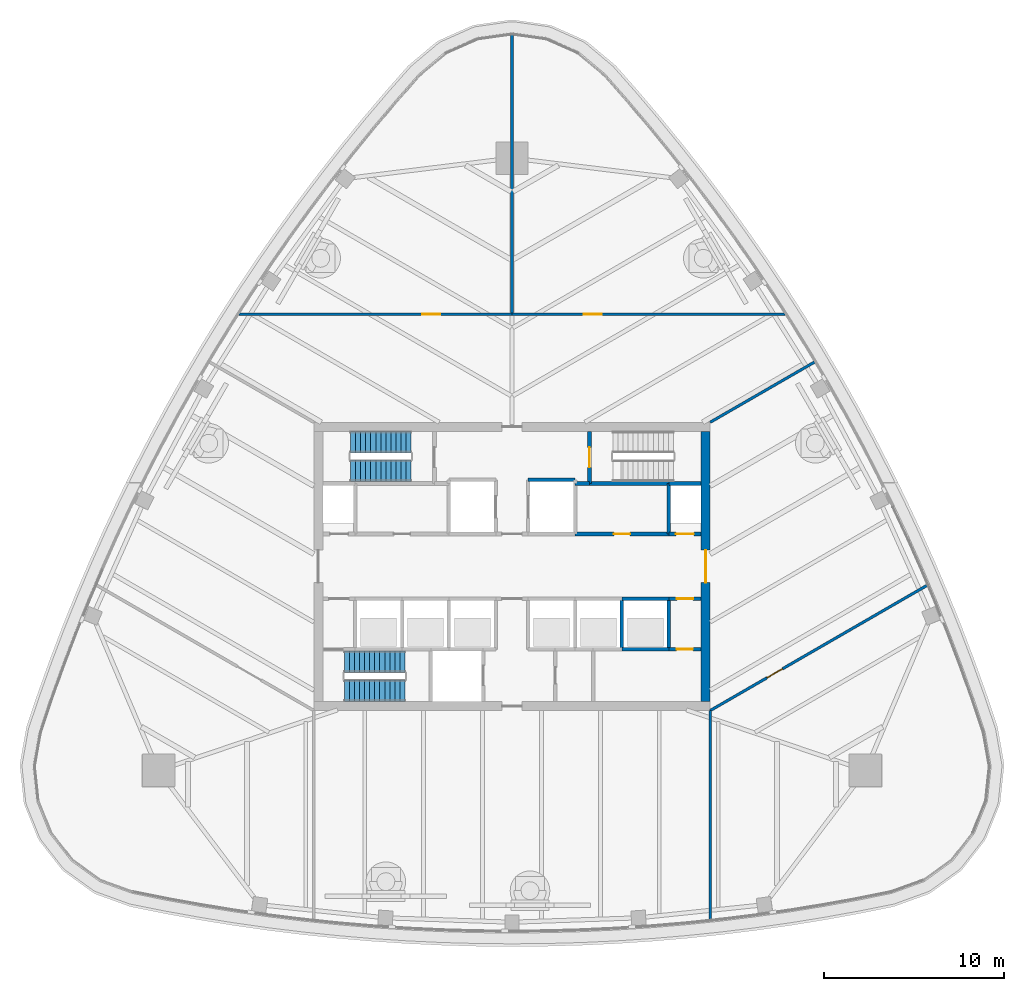
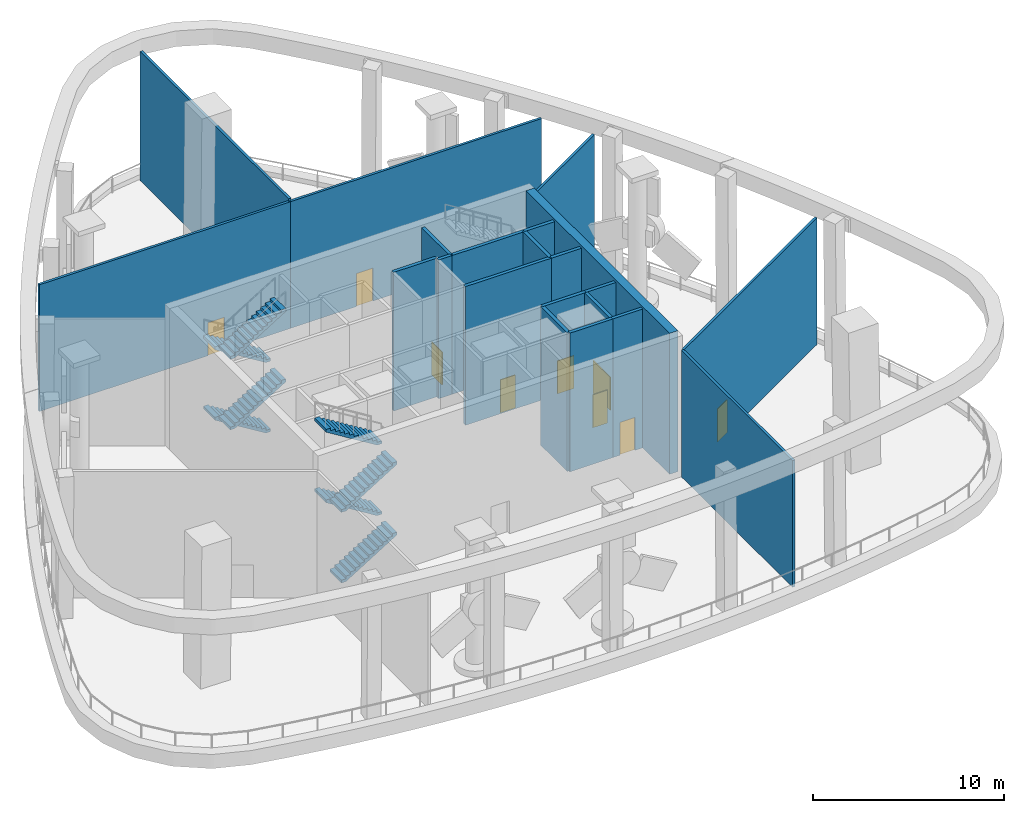
# One storey, part 4 of 12: 21 walls, 9 doors, 8 stair flights, 9 openings, 2 elements without a shape of their own.
"""IFC4 building model written with IfcOpenShell, lengths in metres."""

from ifc_helpers import new_model, si_unit, direction, frame, frame_2d, origin, place, context, subcontext, project, spatial, polyline, rectangle, outline, extrude, material, layer, layer_set, type_object, element, fill, aggregate, save


model = new_model("IFC4")

# Units and contexts
model_context = context("Model", 3, precision=1e-05, world=origin(), true_north=direction((0.0, 1.0)))
body_context = subcontext(model_context, "Body", "Model", "MODEL_VIEW")
ifc_project = project(units=[si_unit("LENGTHUNIT", "METRE"), si_unit("AREAUNIT", "SQUARE_METRE"), si_unit("VOLUMEUNIT", "CUBIC_METRE"), si_unit("PLANEANGLEUNIT", "RADIAN"), si_unit("MASSUNIT", "GRAM", prefix="KILO")], contexts=[model_context])

# Site, building, storey
site_placement = place(None, origin())
site = spatial("IfcSite", under=ifc_project, at=site_placement, CompositionType="ELEMENT")
building_placement = place(site_placement, origin())
building = spatial("IfcBuilding", under=site, at=building_placement, Name="Sierra Prisma Convention Tower", CompositionType="ELEMENT")
storey_placement = place(building_placement, frame((0.0, 0.0, 330.39990234375)))
storey = spatial("IfcBuildingStorey", under=building, at=storey_placement, Name="L75", CompositionType="ELEMENT", Elevation=330.39990234375)

# Wall
ifc_material_1 = material(Name="Concrete C30/37", Category="concrete")
ifc_layer_1 = layer(ifc_material_1, 0.199951171875)
ifc_layer_set_1 = layer_set([ifc_layer_1], Name="Core wall RC 200 C30/37")
wall_type_1 = type_object("IfcWallType", Name="Core wall RC 200 C30/37", PredefinedType="SOLIDWALL", material=ifc_layer_set_1)
wall_1_placement = place(storey_placement, frame((3.5, 4.800048828125, 0.0), z_axis=(0.0, 0.0, 1.0), x_axis=(-1.0, 0.0, 0.0)))
element("IfcWall", 1, at=wall_1_placement, inside=storey, type_object=wall_type_1, Name="Core wall L75 36", PredefinedType="SOLIDWALL", context=body_context, shape_type="SweptSolid", body=[
    extrude(rectangle(XDim=2.60009765625, YDim=0.199951171875, at=frame_2d((1.300048828125, 0.0))), origin(), (0.0, 0.0, 1.0), 8.85009765625),
])

# Wall, opening, door
wall_2_placement = place(storey_placement, frame((3.5, 1.800048828125, 0.0), z_axis=(0.0, 0.0, 1.0), x_axis=(1.0, 0.0, 0.0)))
wall_2 = element("IfcWall", 2, at=wall_2_placement, inside=storey, type_object=wall_type_1, Name="Core wall L75 43", PredefinedType="SOLIDWALL", context=body_context, shape_type="SweptSolid", body=[
    extrude(rectangle(XDim=5.199951171875, YDim=0.199951171875, at=frame_2d((2.60009765625, 0.0))), origin(), (0.0, 0.0, 1.0), 8.85009765625),
])
opening_1_placement = place(wall_2_placement, frame((2.14990234375, 0.0, 0.0)))
opening_1 = element("IfcOpeningElement", 3, at=opening_1_placement, cuts=wall_2, Name="Opening L75-D012", PredefinedType="OPENING", context=body_context, shape_type="SweptSolid", body=[
    extrude(rectangle(XDim=0.89990234375, YDim=2.10009765625, at=frame_2d((0.449951171875, 1.050048828125))), frame((0.0, 0.10009765625, 0.0), z_axis=(0.0, -1.0, 0.0), x_axis=(1.0, 0.0, 0.0)), (0.0, 0.0, 1.0), 0.199951171875),
])
ifc_material_2 = material(Name="Steel fire door leaf", Category="steel")
door_type_1 = type_object("IfcDoorType", Name="Door 900x2100 FD30S", OperationType="SINGLE_SWING_LEFT", PredefinedType="DOOR", material=ifc_material_2)
door_1_placement = place(opening_1_placement, origin())
door_1 = element("IfcDoor", 4, at=door_1_placement, inside=storey, type_object=door_type_1, Name="Door L75 16", OperationType="SINGLE_SWING_RIGHT", OverallHeight=2.10009765625, OverallWidth=0.89990234375, PredefinedType="DOOR", context=body_context, shape_type="SweptSolid", body=[
    extrude(rectangle(XDim=0.89990234375, YDim=2.10009765625, at=frame_2d((0.449951171875, 1.050048828125))), frame((0.0, 0.02490234375, 0.0), z_axis=(0.0, -1.0, 0.0), x_axis=(1.0, 0.0, 0.0)), (0.0, 0.0, 1.0), 0.050048828125),
])
fill(opening_1, door_1)

# Walls
wall_3_placement = place(storey_placement, frame((4.300048828125, 4.60009765625, 0.0), z_axis=(0.0, 0.0, 1.0), x_axis=(-1.0, 0.0, 0.0)))
element("IfcWall", 5, at=wall_3_placement, inside=storey, type_object=wall_type_1, Name="Core wall L75 45", PredefinedType="SOLIDWALL", context=body_context, shape_type="SweptSolid", body=[
    extrude(rectangle(XDim=0.800048828125, YDim=0.199951171875, at=frame_2d((0.39990234375, 0.0))), origin(), (0.0, 0.0, 1.0), 8.85009765625),
])
wall_4_placement = place(storey_placement, frame((8.699951171875, 4.60009765625, 0.0), z_axis=(0.0, 0.0, 1.0), x_axis=(-1.0, 0.0, 0.0)))
element("IfcWall", 6, at=wall_4_placement, inside=storey, type_object=wall_type_1, Name="Core wall L75 46", PredefinedType="SOLIDWALL", context=body_context, shape_type="SweptSolid", body=[
    extrude(rectangle(XDim=4.39990234375, YDim=0.199951171875, at=frame_2d((2.199951171875, 0.0))), origin(), (0.0, 0.0, 1.0), 8.85009765625),
])

# Wall, opening, door
wall_5_placement = place(storey_placement, frame((4.300048828125, 7.5, 0.0), z_axis=(0.0, 0.0, 1.0), x_axis=(0.0, -1.0, 0.0)))
wall_5 = element("IfcWall", 7, at=wall_5_placement, inside=storey, type_object=wall_type_1, Name="Core wall L75 47", PredefinedType="SOLIDWALL", context=body_context, shape_type="SweptSolid", body=[
    extrude(rectangle(XDim=2.89990234375, YDim=0.199951171875, at=frame_2d((1.449951171875, 0.0))), origin(), (0.0, 0.0, 1.0), 8.85009765625),
])
opening_2_placement = place(wall_5_placement, frame((0.89990234375, 0.0, 0.0)))
opening_2 = element("IfcOpeningElement", 8, at=opening_2_placement, cuts=wall_5, Name="Opening L75-D011", PredefinedType="OPENING", context=body_context, shape_type="SweptSolid", body=[
    extrude(rectangle(XDim=1.10009765625, YDim=2.10009765625, at=frame_2d((0.550048828125, 1.050048828125))), frame((0.0, 0.10009765625, 0.0), z_axis=(0.0, -1.0, 0.0), x_axis=(1.0, 0.0, 0.0)), (0.0, 0.0, 1.0), 0.199951171875),
])
ifc_material_3 = material(Name="Steel fire door leaf", Category="steel")
door_type_2 = type_object("IfcDoorType", Name="Door 1100x2100 FD90S", OperationType="SINGLE_SWING_LEFT", PredefinedType="DOOR", material=ifc_material_3)
door_2_placement = place(opening_2_placement, origin())
door_2 = element("IfcDoor", 9, at=door_2_placement, inside=storey, type_object=door_type_2, Name="Door L75 15", OperationType="SINGLE_SWING_LEFT", OverallHeight=2.10009765625, OverallWidth=1.10009765625, PredefinedType="DOOR", context=body_context, shape_type="SweptSolid", body=[
    extrude(rectangle(XDim=1.10009765625, YDim=2.10009765625, at=frame_2d((0.550048828125, 1.050048828125))), frame((0.0, 0.02490234375, 0.0), z_axis=(0.0, -1.0, 0.0), x_axis=(1.0, 0.0, 0.0)), (0.0, 0.0, 1.0), 0.050048828125),
])
fill(opening_2, door_2)

# Walls
wall_6_placement = place(storey_placement, frame((8.699951171875, -4.60009765625, 0.0), z_axis=(0.0, 0.0, 1.0), x_axis=(-1.0, 0.0, 0.0)))
element("IfcWall", 10, at=wall_6_placement, inside=storey, type_object=wall_type_1, Name="Core wall L75 50", PredefinedType="SOLIDWALL", context=body_context, shape_type="SweptSolid", body=[
    extrude(rectangle(XDim=2.599853515625, YDim=0.199951171875, at=frame_2d((1.2998046875, 0.0))), origin(), (0.0, 0.0, 1.0), 8.85009765625),
])
wall_7_placement = place(storey_placement, frame((6.10009765625, -4.60009765625, 0.0), z_axis=(0.0, 0.0, 1.0), x_axis=(0.0, 1.0, 0.0)))
element("IfcWall", 11, at=wall_7_placement, inside=storey, type_object=wall_type_1, Name="Core wall L75 51", PredefinedType="SOLIDWALL", context=body_context, shape_type="SweptSolid", body=[
    extrude(rectangle(XDim=2.800048828125, YDim=0.199951171875, at=frame_2d((1.39990234375, 0.0))), origin(), (0.0, 0.0, 1.0), 8.85009765625),
])
wall_8_placement = place(storey_placement, frame((6.10009765625, -1.800048828125, 0.0), z_axis=(0.0, 0.0, 1.0), x_axis=(1.0, 0.0, 0.0)))
element("IfcWall", 12, at=wall_8_placement, inside=storey, type_object=wall_type_1, Name="Core wall L75 52", PredefinedType="SOLIDWALL", context=body_context, shape_type="SweptSolid", body=[
    extrude(rectangle(XDim=2.599853515625, YDim=0.199951171875, at=frame_2d((1.2998046875, 0.0))), origin(), (0.0, 0.0, 1.0), 8.85009765625),
])

# Wall, opening, door
wall_9_placement = place(storey_placement, frame((10.5, -4.60009765625, 0.0), z_axis=(0.0, 0.0, 1.0), x_axis=(-1.0, 0.0, 0.0)))
wall_9 = element("IfcWall", 13, at=wall_9_placement, inside=storey, type_object=wall_type_1, Name="Core wall L75 53", PredefinedType="SOLIDWALL", context=body_context, shape_type="SweptSolid", body=[
    extrude(rectangle(XDim=1.800048828125, YDim=0.199951171875, at=frame_2d((0.89990234375, 0.0))), origin(), (0.0, 0.0, 1.0), 8.85009765625),
])
opening_3_placement = place(wall_9_placement, frame((0.4599609375, 0.0, 0.0)))
opening_3 = element("IfcOpeningElement", 14, at=opening_3_placement, cuts=wall_9, Name="Opening L75-D014", PredefinedType="OPENING", context=body_context, shape_type="SweptSolid", body=[
    extrude(rectangle(XDim=0.89990234375, YDim=2.10009765625, at=frame_2d((0.449951171875, 1.050048828125))), frame((0.0, 0.10009765625, 0.0), z_axis=(0.0, -1.0, 0.0), x_axis=(1.0, 0.0, 0.0)), (0.0, 0.0, 1.0), 0.199951171875),
])
door_3_placement = place(opening_3_placement, origin())
door_3 = element("IfcDoor", 15, at=door_3_placement, inside=storey, type_object=door_type_1, Name="Door L75 18", OperationType="SINGLE_SWING_LEFT", OverallHeight=2.10009765625, OverallWidth=0.89990234375, PredefinedType="DOOR", context=body_context, shape_type="SweptSolid", body=[
    extrude(rectangle(XDim=0.89990234375, YDim=2.10009765625, at=frame_2d((0.449951171875, 1.050048828125))), frame((0.0, 0.02490234375, 0.0), z_axis=(0.0, -1.0, 0.0), x_axis=(1.0, 0.0, 0.0)), (0.0, 0.0, 1.0), 0.050048828125),
])
fill(opening_3, door_3)

# Wall
wall_10_placement = place(storey_placement, frame((8.699951171875, -1.800048828125, 0.0), z_axis=(0.0, 0.0, 1.0), x_axis=(0.0, -1.0, 0.0)))
element("IfcWall", 16, at=wall_10_placement, inside=storey, type_object=wall_type_1, Name="Core wall L75 54", PredefinedType="SOLIDWALL", context=body_context, shape_type="SweptSolid", body=[
    extrude(rectangle(XDim=2.800048828125, YDim=0.199951171875, at=frame_2d((1.39990234375, 0.0))), origin(), (0.0, 0.0, 1.0), 8.85009765625),
])

# Wall, opening, door
wall_11_placement = place(storey_placement, frame((8.699951171875, -1.800048828125, 0.0), z_axis=(0.0, 0.0, 1.0), x_axis=(1.0, 0.0, 0.0)))
wall_11 = element("IfcWall", 17, at=wall_11_placement, inside=storey, type_object=wall_type_1, Name="Core wall L75 55", PredefinedType="SOLIDWALL", context=body_context, shape_type="SweptSolid", body=[
    extrude(rectangle(XDim=1.800048828125, YDim=0.199951171875, at=frame_2d((0.89990234375, 0.0))), origin(), (0.0, 0.0, 1.0), 8.85009765625),
])
opening_4_placement = place(wall_11_placement, frame((0.449951171875, 0.0, 0.0)))
opening_4 = element("IfcOpeningElement", 18, at=opening_4_placement, cuts=wall_11, Name="Opening L75-D015", PredefinedType="OPENING", context=body_context, shape_type="SweptSolid", body=[
    extrude(rectangle(XDim=0.89990234375, YDim=2.10009765625, at=frame_2d((0.449951171875, 1.050048828125))), frame((0.0, 0.10009765625, 0.0), z_axis=(0.0, -1.0, 0.0), x_axis=(1.0, 0.0, 0.0)), (0.0, 0.0, 1.0), 0.199951171875),
])
door_4_placement = place(opening_4_placement, origin())
door_4 = element("IfcDoor", 19, at=door_4_placement, inside=storey, type_object=door_type_1, Name="Door L75 19", OperationType="SINGLE_SWING_LEFT", OverallHeight=2.10009765625, OverallWidth=0.89990234375, PredefinedType="DOOR", context=body_context, shape_type="SweptSolid", body=[
    extrude(rectangle(XDim=0.89990234375, YDim=2.10009765625, at=frame_2d((0.449951171875, 1.050048828125))), frame((0.0, 0.02490234375, 0.0), z_axis=(0.0, -1.0, 0.0), x_axis=(1.0, 0.0, 0.0)), (0.0, 0.0, 1.0), 0.050048828125),
])
fill(opening_4, door_4)

wall_12_placement = place(storey_placement, frame((10.5, 1.800048828125, 0.0), z_axis=(0.0, 0.0, 1.0), x_axis=(-1.0, 0.0, 0.0)))
wall_12 = element("IfcWall", 20, at=wall_12_placement, inside=storey, type_object=wall_type_1, Name="Core wall L75 56", PredefinedType="SOLIDWALL", context=body_context, shape_type="SweptSolid", body=[
    extrude(rectangle(XDim=1.800048828125, YDim=0.199951171875, at=frame_2d((0.89990234375, 0.0))), origin(), (0.0, 0.0, 1.0), 8.85009765625),
])
opening_5_placement = place(wall_12_placement, frame((0.39990234375, 0.0, 0.0)))
opening_5 = element("IfcOpeningElement", 21, at=opening_5_placement, cuts=wall_12, Name="Opening L75-D008", PredefinedType="OPENING", context=body_context, shape_type="SweptSolid", body=[
    extrude(rectangle(XDim=1.0, YDim=2.10009765625, at=frame_2d((0.5, 1.050048828125))), frame((0.0, 0.10009765625, 0.0), z_axis=(0.0, -1.0, 0.0), x_axis=(1.0, 0.0, 0.0)), (0.0, 0.0, 1.0), 0.199951171875),
])
ifc_material_4 = material(Name="Steel fire door leaf", Category="steel")
door_type_3 = type_object("IfcDoorType", Name="Door 1000x2100 FD60S", OperationType="SINGLE_SWING_LEFT", PredefinedType="DOOR", material=ifc_material_4)
door_5_placement = place(opening_5_placement, origin())
door_5 = element("IfcDoor", 22, at=door_5_placement, inside=storey, type_object=door_type_3, Name="Door L75 12", OperationType="SINGLE_SWING_RIGHT", OverallHeight=2.10009765625, OverallWidth=1.0, PredefinedType="DOOR", context=body_context, shape_type="SweptSolid", body=[
    extrude(rectangle(XDim=1.0, YDim=2.10009765625, at=frame_2d((0.5, 1.050048828125))), frame((0.0, 0.02490234375, 0.0), z_axis=(0.0, -1.0, 0.0), x_axis=(1.0, 0.0, 0.0)), (0.0, 0.0, 1.0), 0.050048828125),
])
fill(opening_5, door_5)

# Walls
wall_13_placement = place(storey_placement, frame((8.699951171875, 1.800048828125, 0.0), z_axis=(0.0, 0.0, 1.0), x_axis=(0.0, 1.0, 0.0)))
element("IfcWall", 23, at=wall_13_placement, inside=storey, type_object=wall_type_1, Name="Core wall L75 57", PredefinedType="SOLIDWALL", context=body_context, shape_type="SweptSolid", body=[
    extrude(rectangle(XDim=2.800048828125, YDim=0.199951171875, at=frame_2d((1.39990234375, 0.0))), origin(), (0.0, 0.0, 1.0), 8.85009765625),
])
wall_14_placement = place(storey_placement, frame((10.5, 4.60009765625, 0.0), z_axis=(0.0, 0.0, 1.0), x_axis=(-1.0, 0.0, 0.0)))
element("IfcWall", 24, at=wall_14_placement, inside=storey, type_object=wall_type_1, Name="Core wall L75 58", PredefinedType="SOLIDWALL", context=body_context, shape_type="SweptSolid", body=[
    extrude(rectangle(XDim=1.800048828125, YDim=0.199951171875, at=frame_2d((0.89990234375, 0.0))), origin(), (0.0, 0.0, 1.0), 8.85009765625),
])

# Wall, opening, door
ifc_material_5 = material(Name="Concrete C50/60", Category="concrete")
ifc_layer_2 = layer(ifc_material_5, 0.5)
ifc_layer_set_2 = layer_set([ifc_layer_2], Name="Core wall RC 500 C50/60")
wall_type_2 = type_object("IfcWallType", Name="Core wall RC 500 C50/60", PredefinedType="SHEAR", material=ifc_layer_set_2)
wall_15_placement = place(storey_placement, frame((10.75, -7.5, 0.0), z_axis=(0.0, 0.0, 1.0), x_axis=(0.0, 1.0, 0.0)))
wall_15 = element("IfcWall", 25, at=wall_15_placement, inside=storey, type_object=wall_type_2, Name="Core wall E L75", PredefinedType="SHEAR", context=body_context, shape_type="SweptSolid", body=[
    extrude(rectangle(XDim=15.0, YDim=0.5, at=frame_2d((7.5, 0.0))), origin(), (0.0, 0.0, 1.0), 9.0),
])
opening_6_placement = place(wall_15_placement, frame((6.60009765625, 0.0, 0.0)))
opening_6 = element("IfcOpeningElement", 26, at=opening_6_placement, cuts=wall_15, Name="Opening L75-D021", PredefinedType="OPENING", context=body_context, shape_type="SweptSolid", body=[
    extrude(rectangle(XDim=1.800048828125, YDim=2.10009765625, at=frame_2d((0.89990234375, 1.050048828125))), frame((0.0, 0.25, 0.0), z_axis=(0.0, -1.0, 0.0), x_axis=(1.0, 0.0, 0.0)), (0.0, 0.0, 1.0), 0.5),
])
ifc_material_6 = material(Name="Steel fire door leaf", Category="steel")
door_type_4 = type_object("IfcDoorType", Name="Door 1800x2100 FD60S", OperationType="DOUBLE_DOOR_SINGLE_SWING", PredefinedType="DOOR", material=ifc_material_6)
door_6_placement = place(opening_6_placement, origin())
door_6 = element("IfcDoor", 27, at=door_6_placement, inside=storey, type_object=door_type_4, Name="Door L75 22", OperationType="DOUBLE_DOOR_SINGLE_SWING", OverallHeight=2.10009765625, OverallWidth=1.800048828125, PredefinedType="DOOR", context=body_context, shape_type="SweptSolid", body=[
    extrude(rectangle(XDim=1.800048828125, YDim=2.10009765625, at=frame_2d((0.89990234375, 1.050048828125))), frame((0.0, 0.02490234375, 0.0), z_axis=(0.0, -1.0, 0.0), x_axis=(1.0, 0.0, 0.0)), (0.0, 0.0, 1.0), 0.050048828125),
])
fill(opening_6, door_6)

ifc_material_7 = material(Name="Gypsum board partition", Category="gypsum")
ifc_layer_3 = layer(ifc_material_7, 0.14990234375)
ifc_layer_set_3 = layer_set([ifc_layer_3], Name="Party wall 150 gypsum")
wall_type_3 = type_object("IfcWallType", Name="Party wall 150 gypsum", PredefinedType="PARTITIONING", material=ifc_layer_set_3)
wall_16_placement = place(storey_placement, frame((0.0, 14.0, 0.0), z_axis=(0.0, 0.0, 1.0), x_axis=(-1.0, 0.0, 0.0)))
wall_16 = element("IfcWall", 28, at=wall_16_placement, inside=storey, type_object=wall_type_3, Name="Partition L75 party 4", PredefinedType="PARTITIONING", context=body_context, shape_type="SweptSolid", body=[
    extrude(rectangle(XDim=15.149658203125, YDim=0.14990234375, at=frame_2d((7.57470703125, 0.0))), origin(), (0.0, 0.0, 1.0), 8.0830078125),
])
opening_7_placement = place(wall_16_placement, frame((3.98779296875, 0.0, 0.0)))
opening_7 = element("IfcOpeningElement", 29, at=opening_7_placement, cuts=wall_16, Name="Opening L75-D017", PredefinedType="OPENING", context=body_context, shape_type="SweptSolid", body=[
    extrude(rectangle(XDim=1.0, YDim=2.10009765625, at=frame_2d((0.5, 1.050048828125))), frame((0.0, 0.074951171875, 0.0), z_axis=(0.0, -1.0, 0.0), x_axis=(1.0, 0.0, 0.0)), (0.0, 0.0, 1.0), 0.14990234375),
])
ifc_material_8 = material(Name="Steel fire door leaf", Category="steel")
door_type_5 = type_object("IfcDoorType", Name="Door 1000x2100 FD30S", OperationType="SINGLE_SWING_LEFT", PredefinedType="DOOR", material=ifc_material_8)
door_7_placement = place(opening_7_placement, origin())
door_7 = element("IfcDoor", 30, at=door_7_placement, inside=storey, type_object=door_type_5, Name="Door L75 1", OperationType="SINGLE_SWING_LEFT", OverallHeight=2.10009765625, OverallWidth=1.0, PredefinedType="DOOR", context=body_context, shape_type="SweptSolid", body=[
    extrude(rectangle(XDim=1.0, YDim=2.10009765625, at=frame_2d((0.5, 1.050048828125))), frame((0.0, 0.02490234375, 0.0), z_axis=(0.0, -1.0, 0.0), x_axis=(1.0, 0.0, 0.0)), (0.0, 0.0, 1.0), 0.050048828125),
])
fill(opening_7, door_7)

wall_17_placement = place(storey_placement, frame((15.149658203125, 14.0, 0.0), z_axis=(0.0, 0.0, 1.0), x_axis=(-1.0, 0.0, 0.0)))
wall_17 = element("IfcWall", 31, at=wall_17_placement, inside=storey, type_object=wall_type_3, Name="Partition L75 party 5", PredefinedType="PARTITIONING", context=body_context, shape_type="SweptSolid", body=[
    extrude(rectangle(XDim=15.149658203125, YDim=0.14990234375, at=frame_2d((7.57470703125, 0.0))), origin(), (0.0, 0.0, 1.0), 8.0830078125),
])
opening_8_placement = place(wall_17_placement, frame((10.161865234375, 0.0, 0.0)))
opening_8 = element("IfcOpeningElement", 32, at=opening_8_placement, cuts=wall_17, Name="Opening L75-D018", PredefinedType="OPENING", context=body_context, shape_type="SweptSolid", body=[
    extrude(rectangle(XDim=1.0, YDim=2.10009765625, at=frame_2d((0.5, 1.050048828125))), frame((0.0, 0.074951171875, 0.0), z_axis=(0.0, -1.0, 0.0), x_axis=(1.0, 0.0, 0.0)), (0.0, 0.0, 1.0), 0.14990234375),
])
door_8_placement = place(opening_8_placement, origin())
door_8 = element("IfcDoor", 33, at=door_8_placement, inside=storey, type_object=door_type_5, Name="Door L75 2", OperationType="SINGLE_SWING_LEFT", OverallHeight=2.10009765625, OverallWidth=1.0, PredefinedType="DOOR", context=body_context, shape_type="SweptSolid", body=[
    extrude(rectangle(XDim=1.0, YDim=2.10009765625, at=frame_2d((0.5, 1.050048828125))), frame((0.0, 0.02490234375, 0.0), z_axis=(0.0, -1.0, 0.0), x_axis=(1.0, 0.0, 0.0)), (0.0, 0.0, 1.0), 0.050048828125),
])
fill(opening_8, door_8)

# Walls
wall_18_placement = place(storey_placement, frame((0.0, 14.0, 0.0), z_axis=(0.0, 0.0, 1.0), x_axis=(0.0, 1.0, 0.0)))
element("IfcWall", 34, at=wall_18_placement, inside=storey, type_object=wall_type_3, Name="Partition L75 party 6", PredefinedType="PARTITIONING", context=body_context, shape_type="SweptSolid", body=[
    extrude(rectangle(XDim=15.510498046875, YDim=0.14990234375, at=frame_2d((7.75537109375, 0.0))), origin(), (0.0, 0.0, 1.0), 8.2470703125),
])
wall_19_placement = place(storey_placement, frame((11.0, -19.627685546875, 0.0), z_axis=(0.0, 0.0, 1.0), x_axis=(0.0, 1.0, 0.0)))
element("IfcWall", 35, at=wall_19_placement, inside=storey, type_object=wall_type_3, Name="Partition L75 party 7", PredefinedType="PARTITIONING", context=body_context, shape_type="SweptSolid", body=[
    extrude(rectangle(XDim=11.627685546875, YDim=0.14990234375, at=frame_2d((5.81396484375, 0.0))), origin(), (0.0, 0.0, 1.0), 8.0830078125),
])

# Wall, opening, door
wall_20_placement = place(storey_placement, frame((11.0, -8.0, 0.0), z_axis=(0.0, 0.0, 1.0), x_axis=(0.866022206254, 0.500005538244, 0.0)))
wall_20 = element("IfcWall", 36, at=wall_20_placement, inside=storey, type_object=wall_type_3, Name="Partition L75 party 8", PredefinedType="PARTITIONING", context=body_context, shape_type="SweptSolid", body=[
    extrude(rectangle(XDim=13.935302734375, YDim=0.14990234375, at=frame_2d((6.9677734375, 0.0))), origin(), (0.0, 0.0, 1.0), 8.0830078125),
])
opening_9_placement = place(wall_20_placement, frame((3.632080078125, 0.0, 0.0)))
opening_9 = element("IfcOpeningElement", 37, at=opening_9_placement, cuts=wall_20, Name="Opening L75-D019", PredefinedType="OPENING", context=body_context, shape_type="SweptSolid", body=[
    extrude(rectangle(XDim=1.0, YDim=2.10009765625, at=frame_2d((0.5, 1.050048828125))), frame((0.0, 0.074951171875, 0.0), z_axis=(0.0, -1.0, 0.0), x_axis=(1.0, 0.0, 0.0)), (0.0, 0.0, 1.0), 0.14990234375),
])
door_9_placement = place(opening_9_placement, origin())
door_9 = element("IfcDoor", 38, at=door_9_placement, inside=storey, type_object=door_type_5, Name="Door L75 3", OperationType="SINGLE_SWING_LEFT", OverallHeight=2.10009765625, OverallWidth=1.0, PredefinedType="DOOR", context=body_context, shape_type="SweptSolid", body=[
    extrude(rectangle(XDim=1.0, YDim=2.10009765625, at=frame_2d((0.5, 1.050048828125))), frame((0.0, 0.02490234375, 0.0), z_axis=(0.0, -1.0, 0.0), x_axis=(1.0, 0.0, 0.0)), (0.0, 0.0, 1.0), 0.050048828125),
])
fill(opening_9, door_9)

# Wall
wall_21_placement = place(storey_placement, frame((11.0, 8.0, 0.0), z_axis=(0.0, 0.0, 1.0), x_axis=(0.866025662054, 0.499999552663, 0.0)))
element("IfcWall", 39, at=wall_21_placement, inside=storey, type_object=wall_type_3, Name="Partition L75 party 9", PredefinedType="PARTITIONING", context=body_context, shape_type="SweptSolid", body=[
    extrude(rectangle(XDim=6.68603515625, YDim=0.14990234375, at=frame_2d((3.343017578125, 0.0))), origin(), (0.0, 0.0, 1.0), 8.0830078125),
])

# Stair, stair flights
ifc_material_9 = material(Name="Concrete C30/37", Category="concrete")
stair_type = type_object("IfcStairType", Name="Stair dog-leg 1200 RC", PredefinedType="HALF_TURN_STAIR", material=ifc_material_9)
stair_1_placement = place(storey_placement, origin())
stair_1 = element("IfcStair", 40, at=stair_1_placement, inside=storey, type_object=stair_type, Name="L75 S1", PredefinedType="HALF_TURN_STAIR")
ifc_material_10 = material(Name="Concrete C30/37", Category="concrete")
stair_flight_type = type_object("IfcStairFlightType", Name="Stair flight RC 1200", PredefinedType="STRAIGHT", material=ifc_material_10)
stair_flight_1_placement = place(storey_placement, frame((-9.300048828125, -6.89990234375, 0.0), z_axis=(0.0, 0.0, 1.0), x_axis=(1.0, 0.0, 0.0)))
stair_flight_1 = element("IfcStairFlight", 41, at=stair_flight_1_placement, type_object=stair_flight_type, Name="S1 flight 1", NumberOfRisers=13, NumberOfTreads=12, PredefinedType="STRAIGHT", RiserHeight=0.173076923, TreadLength=0.28, context=body_context, shape_type="SweptSolid", body=[
    extrude(outline(polyline([(0.0, 0.0), (0.0, 0.173095703125), (0.280029296875, 0.173095703125), (0.280029296875, 0.34619140625), (0.56005859375, 0.34619140625), (0.56005859375, 0.519287109375), (0.840087890625, 0.519287109375), (0.840087890625, 0.6923828125), (1.1201171875, 0.6923828125), (1.1201171875, 0.865478515625), (1.39990234375, 0.865478515625), (1.39990234375, 1.03857421875), (1.679931640625, 1.03857421875), (1.679931640625, 1.21142578125), (1.9599609375, 1.21142578125), (1.9599609375, 1.384521484375), (2.239990234375, 1.384521484375), (2.239990234375, 1.5576171875), (2.52001953125, 1.5576171875), (2.52001953125, 1.730712890625), (2.800048828125, 1.730712890625), (2.800048828125, 1.90380859375), (3.080078125, 1.90380859375), (3.080078125, 2.076904296875), (3.360107421875, 2.076904296875), (3.360107421875, 2.25), (3.360107421875, 1.900634765625), (0.28515625, 0.0), (0.0, 0.0)])), frame((0.0, 0.60009765625, 0.0), z_axis=(0.0, -1.0, 0.0), x_axis=(1.0, 0.0, 0.0)), (0.0, 0.0, 1.0), 1.199951171875),
])
stair_flight_2_placement = place(storey_placement, frame((-5.93994140625, -5.300048828125, 2.25), z_axis=(0.0, 0.0, 1.0), x_axis=(-1.0, 0.0, 0.0)))
stair_flight_2 = element("IfcStairFlight", 42, at=stair_flight_2_placement, type_object=stair_flight_type, Name="S1 flight 2", NumberOfRisers=13, NumberOfTreads=12, PredefinedType="STRAIGHT", RiserHeight=0.173076923, TreadLength=0.28, context=body_context, shape_type="SweptSolid", body=[
    extrude(outline(polyline([(0.0, 0.0), (0.0, 0.173095703125), (0.280029296875, 0.173095703125), (0.280029296875, 0.34619140625), (0.56005859375, 0.34619140625), (0.56005859375, 0.519287109375), (0.840087890625, 0.519287109375), (0.840087890625, 0.6923828125), (1.1201171875, 0.6923828125), (1.1201171875, 0.865478515625), (1.39990234375, 0.865478515625), (1.39990234375, 1.03857421875), (1.679931640625, 1.03857421875), (1.679931640625, 1.21142578125), (1.9599609375, 1.21142578125), (1.9599609375, 1.384521484375), (2.239990234375, 1.384521484375), (2.239990234375, 1.5576171875), (2.52001953125, 1.5576171875), (2.52001953125, 1.730712890625), (2.800048828125, 1.730712890625), (2.800048828125, 1.90380859375), (3.080078125, 1.90380859375), (3.080078125, 2.076904296875), (3.360107421875, 2.076904296875), (3.360107421875, 2.25), (3.360107421875, 1.900634765625), (0.28515625, 0.0), (0.0, 0.0)])), frame((0.0, 0.60009765625, 0.0), z_axis=(0.0, -1.0, 0.0), x_axis=(1.0, 0.0, 0.0)), (0.0, 0.0, 1.0), 1.199951171875),
])
stair_flight_3_placement = place(storey_placement, frame((-9.300048828125, -6.89990234375, 4.5), z_axis=(0.0, 0.0, 1.0), x_axis=(1.0, 0.0, 0.0)))
stair_flight_3 = element("IfcStairFlight", 43, at=stair_flight_3_placement, type_object=stair_flight_type, Name="S1 flight 3", NumberOfRisers=13, NumberOfTreads=12, PredefinedType="STRAIGHT", RiserHeight=0.173076923, TreadLength=0.28, context=body_context, shape_type="SweptSolid", body=[
    extrude(outline(polyline([(0.0, 0.0), (0.0, 0.173095703125), (0.280029296875, 0.173095703125), (0.280029296875, 0.34619140625), (0.56005859375, 0.34619140625), (0.56005859375, 0.519287109375), (0.840087890625, 0.519287109375), (0.840087890625, 0.6923828125), (1.1201171875, 0.6923828125), (1.1201171875, 0.865478515625), (1.39990234375, 0.865478515625), (1.39990234375, 1.03857421875), (1.679931640625, 1.03857421875), (1.679931640625, 1.21142578125), (1.9599609375, 1.21142578125), (1.9599609375, 1.384521484375), (2.239990234375, 1.384521484375), (2.239990234375, 1.5576171875), (2.52001953125, 1.5576171875), (2.52001953125, 1.730712890625), (2.800048828125, 1.730712890625), (2.800048828125, 1.90380859375), (3.080078125, 1.90380859375), (3.080078125, 2.076904296875), (3.360107421875, 2.076904296875), (3.360107421875, 2.25), (3.360107421875, 1.900634765625), (0.28515625, 0.0), (0.0, 0.0)])), frame((0.0, 0.60009765625, 0.0), z_axis=(0.0, -1.0, 0.0), x_axis=(1.0, 0.0, 0.0)), (0.0, 0.0, 1.0), 1.199951171875),
])
stair_flight_4_placement = place(storey_placement, frame((-5.93994140625, -5.300048828125, 6.75), z_axis=(0.0, 0.0, 1.0), x_axis=(-1.0, 0.0, 0.0)))
stair_flight_4 = element("IfcStairFlight", 44, at=stair_flight_4_placement, type_object=stair_flight_type, Name="S1 flight 4", NumberOfRisers=13, NumberOfTreads=12, PredefinedType="STRAIGHT", RiserHeight=0.173076923, TreadLength=0.28, context=body_context, shape_type="SweptSolid", body=[
    extrude(outline(polyline([(0.0, 0.0), (0.0, 0.173095703125), (0.280029296875, 0.173095703125), (0.280029296875, 0.34619140625), (0.56005859375, 0.34619140625), (0.56005859375, 0.519287109375), (0.840087890625, 0.519287109375), (0.840087890625, 0.6923828125), (1.1201171875, 0.6923828125), (1.1201171875, 0.865478515625), (1.39990234375, 0.865478515625), (1.39990234375, 1.03857421875), (1.679931640625, 1.03857421875), (1.679931640625, 1.21142578125), (1.9599609375, 1.21142578125), (1.9599609375, 1.384521484375), (2.239990234375, 1.384521484375), (2.239990234375, 1.5576171875), (2.52001953125, 1.5576171875), (2.52001953125, 1.730712890625), (2.800048828125, 1.730712890625), (2.800048828125, 1.90380859375), (3.080078125, 1.90380859375), (3.080078125, 2.076904296875), (3.360107421875, 2.076904296875), (3.360107421875, 2.25), (3.360107421875, 1.900634765625), (0.28515625, 0.0), (0.0, 0.0)])), frame((0.0, 0.60009765625, 0.0), z_axis=(0.0, -1.0, 0.0), x_axis=(1.0, 0.0, 0.0)), (0.0, 0.0, 1.0), 1.199951171875),
])
aggregate(stair_1, [stair_flight_1, stair_flight_2, stair_flight_3, stair_flight_4])

stair_2_placement = place(storey_placement, origin())
stair_2 = element("IfcStair", 45, at=stair_2_placement, inside=storey, type_object=stair_type, Name="L75 S3", PredefinedType="HALF_TURN_STAIR")
stair_flight_5_placement = place(storey_placement, frame((-5.60009765625, 6.89990234375, 0.0), z_axis=(0.0, 0.0, 1.0), x_axis=(-1.0, 0.0, 0.0)))
stair_flight_5 = element("IfcStairFlight", 46, at=stair_flight_5_placement, type_object=stair_flight_type, Name="S3 flight 1", NumberOfRisers=13, NumberOfTreads=12, PredefinedType="STRAIGHT", RiserHeight=0.173076923, TreadLength=0.28, context=body_context, shape_type="SweptSolid", body=[
    extrude(outline(polyline([(0.0, 0.0), (0.0, 0.173095703125), (0.280029296875, 0.173095703125), (0.280029296875, 0.34619140625), (0.56005859375, 0.34619140625), (0.56005859375, 0.519287109375), (0.840087890625, 0.519287109375), (0.840087890625, 0.6923828125), (1.1201171875, 0.6923828125), (1.1201171875, 0.865478515625), (1.39990234375, 0.865478515625), (1.39990234375, 1.03857421875), (1.679931640625, 1.03857421875), (1.679931640625, 1.21142578125), (1.9599609375, 1.21142578125), (1.9599609375, 1.384521484375), (2.239990234375, 1.384521484375), (2.239990234375, 1.5576171875), (2.52001953125, 1.5576171875), (2.52001953125, 1.730712890625), (2.800048828125, 1.730712890625), (2.800048828125, 1.90380859375), (3.080078125, 1.90380859375), (3.080078125, 2.076904296875), (3.360107421875, 2.076904296875), (3.360107421875, 2.25), (3.360107421875, 1.900634765625), (0.28515625, 0.0), (0.0, 0.0)])), frame((0.0, 0.60009765625, 0.0), z_axis=(0.0, -1.0, 0.0), x_axis=(1.0, 0.0, 0.0)), (0.0, 0.0, 1.0), 1.199951171875),
])
stair_flight_6_placement = place(storey_placement, frame((-8.9599609375, 5.300048828125, 2.25), z_axis=(0.0, 0.0, 1.0), x_axis=(1.0, 0.0, 0.0)))
stair_flight_6 = element("IfcStairFlight", 47, at=stair_flight_6_placement, type_object=stair_flight_type, Name="S3 flight 2", NumberOfRisers=13, NumberOfTreads=12, PredefinedType="STRAIGHT", RiserHeight=0.173076923, TreadLength=0.28, context=body_context, shape_type="SweptSolid", body=[
    extrude(outline(polyline([(0.0, 0.0), (0.0, 0.173095703125), (0.280029296875, 0.173095703125), (0.280029296875, 0.34619140625), (0.56005859375, 0.34619140625), (0.56005859375, 0.519287109375), (0.840087890625, 0.519287109375), (0.840087890625, 0.6923828125), (1.1201171875, 0.6923828125), (1.1201171875, 0.865478515625), (1.39990234375, 0.865478515625), (1.39990234375, 1.03857421875), (1.679931640625, 1.03857421875), (1.679931640625, 1.21142578125), (1.9599609375, 1.21142578125), (1.9599609375, 1.384521484375), (2.239990234375, 1.384521484375), (2.239990234375, 1.5576171875), (2.52001953125, 1.5576171875), (2.52001953125, 1.730712890625), (2.800048828125, 1.730712890625), (2.800048828125, 1.90380859375), (3.080078125, 1.90380859375), (3.080078125, 2.076904296875), (3.360107421875, 2.076904296875), (3.360107421875, 2.25), (3.360107421875, 1.900634765625), (0.28515625, 0.0), (0.0, 0.0)])), frame((0.0, 0.60009765625, 0.0), z_axis=(0.0, -1.0, 0.0), x_axis=(1.0, 0.0, 0.0)), (0.0, 0.0, 1.0), 1.199951171875),
])
stair_flight_7_placement = place(storey_placement, frame((-5.60009765625, 6.89990234375, 4.5), z_axis=(0.0, 0.0, 1.0), x_axis=(-1.0, 0.0, 0.0)))
stair_flight_7 = element("IfcStairFlight", 48, at=stair_flight_7_placement, type_object=stair_flight_type, Name="S3 flight 3", NumberOfRisers=13, NumberOfTreads=12, PredefinedType="STRAIGHT", RiserHeight=0.173076923, TreadLength=0.28, context=body_context, shape_type="SweptSolid", body=[
    extrude(outline(polyline([(0.0, 0.0), (0.0, 0.173095703125), (0.280029296875, 0.173095703125), (0.280029296875, 0.34619140625), (0.56005859375, 0.34619140625), (0.56005859375, 0.519287109375), (0.840087890625, 0.519287109375), (0.840087890625, 0.6923828125), (1.1201171875, 0.6923828125), (1.1201171875, 0.865478515625), (1.39990234375, 0.865478515625), (1.39990234375, 1.03857421875), (1.679931640625, 1.03857421875), (1.679931640625, 1.21142578125), (1.9599609375, 1.21142578125), (1.9599609375, 1.384521484375), (2.239990234375, 1.384521484375), (2.239990234375, 1.5576171875), (2.52001953125, 1.5576171875), (2.52001953125, 1.730712890625), (2.800048828125, 1.730712890625), (2.800048828125, 1.90380859375), (3.080078125, 1.90380859375), (3.080078125, 2.076904296875), (3.360107421875, 2.076904296875), (3.360107421875, 2.25), (3.360107421875, 1.900634765625), (0.28515625, 0.0), (0.0, 0.0)])), frame((0.0, 0.60009765625, 0.0), z_axis=(0.0, -1.0, 0.0), x_axis=(1.0, 0.0, 0.0)), (0.0, 0.0, 1.0), 1.199951171875),
])
stair_flight_8_placement = place(storey_placement, frame((-8.9599609375, 5.300048828125, 6.75), z_axis=(0.0, 0.0, 1.0), x_axis=(1.0, 0.0, 0.0)))
stair_flight_8 = element("IfcStairFlight", 49, at=stair_flight_8_placement, type_object=stair_flight_type, Name="S3 flight 4", NumberOfRisers=13, NumberOfTreads=12, PredefinedType="STRAIGHT", RiserHeight=0.173076923, TreadLength=0.28, context=body_context, shape_type="SweptSolid", body=[
    extrude(outline(polyline([(0.0, 0.0), (0.0, 0.173095703125), (0.280029296875, 0.173095703125), (0.280029296875, 0.34619140625), (0.56005859375, 0.34619140625), (0.56005859375, 0.519287109375), (0.840087890625, 0.519287109375), (0.840087890625, 0.6923828125), (1.1201171875, 0.6923828125), (1.1201171875, 0.865478515625), (1.39990234375, 0.865478515625), (1.39990234375, 1.03857421875), (1.679931640625, 1.03857421875), (1.679931640625, 1.21142578125), (1.9599609375, 1.21142578125), (1.9599609375, 1.384521484375), (2.239990234375, 1.384521484375), (2.239990234375, 1.5576171875), (2.52001953125, 1.5576171875), (2.52001953125, 1.730712890625), (2.800048828125, 1.730712890625), (2.800048828125, 1.90380859375), (3.080078125, 1.90380859375), (3.080078125, 2.076904296875), (3.360107421875, 2.076904296875), (3.360107421875, 2.25), (3.360107421875, 1.900634765625), (0.28515625, 0.0), (0.0, 0.0)])), frame((0.0, 0.60009765625, 0.0), z_axis=(0.0, -1.0, 0.0), x_axis=(1.0, 0.0, 0.0)), (0.0, 0.0, 1.0), 1.199951171875),
])
aggregate(stair_2, [stair_flight_5, stair_flight_6, stair_flight_7, stair_flight_8])

save(model, "model.ifc")
